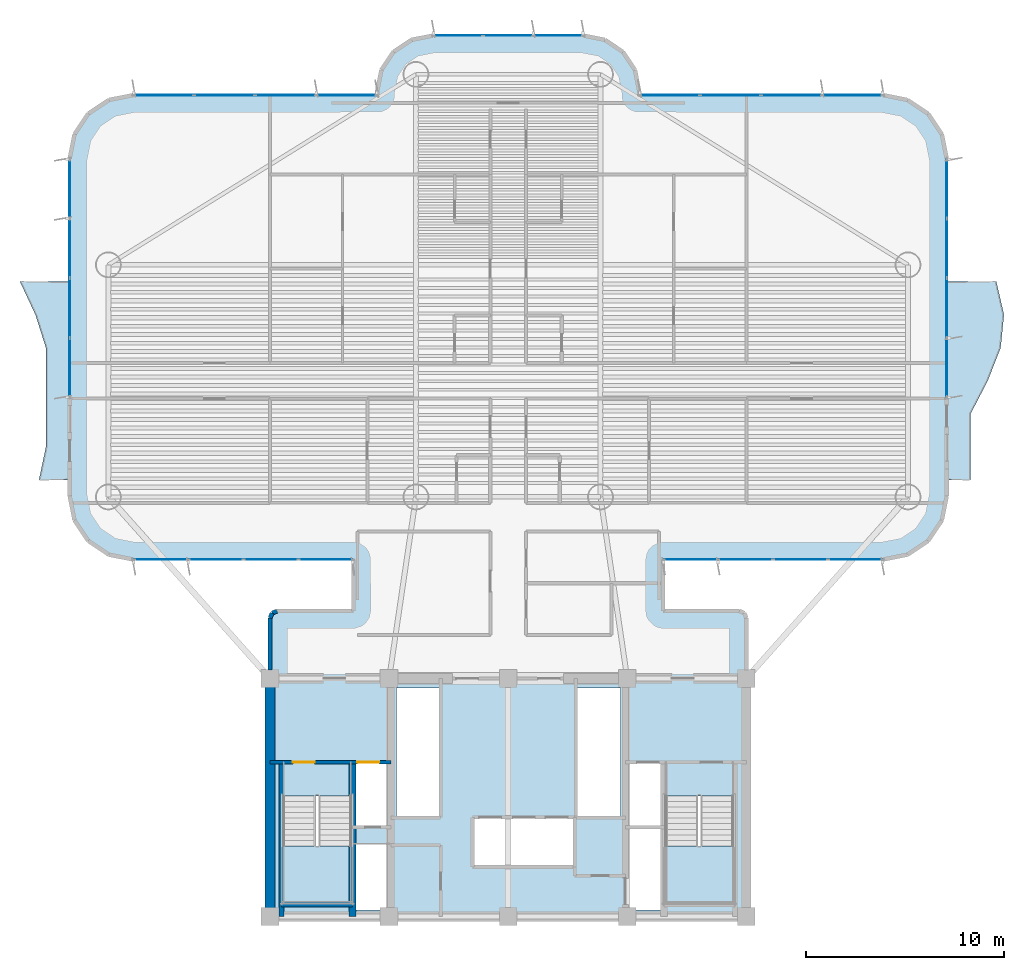
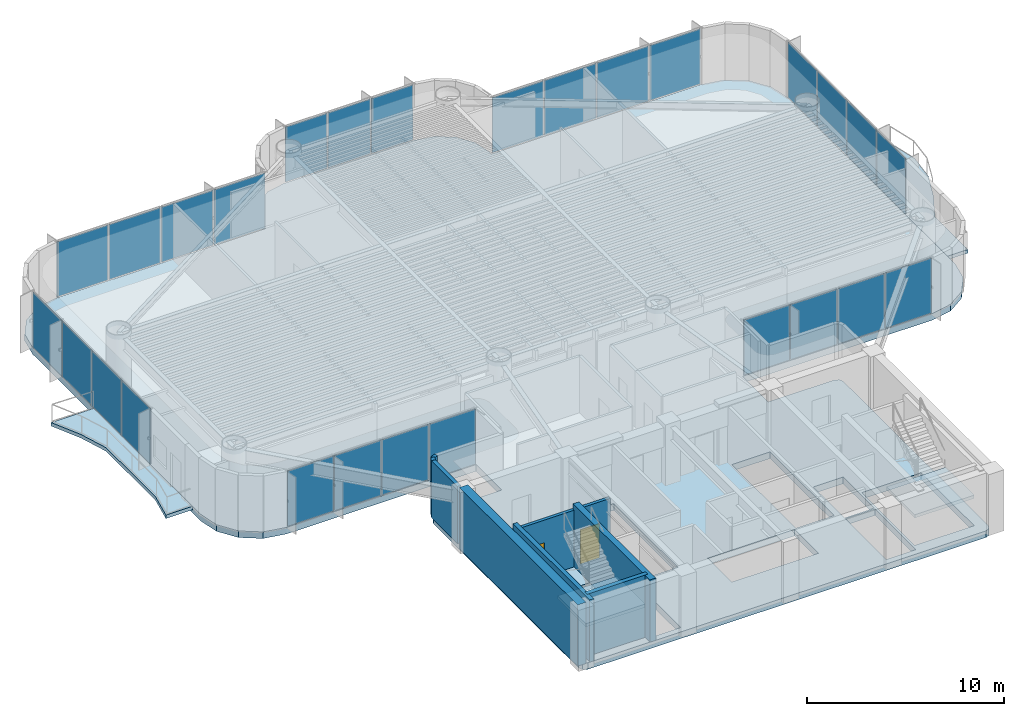
# One storey, part 8 of 17: 27 plates, 8 walls, 5 slabs, 2 doors, 2 openings, 9 elements without a shape of their own.
"""IFC4 building model written with IfcOpenShell, lengths in metres."""

import ifcopenshell
import ifcopenshell.guid

model = None  # the IFC model being written
_history = None  # IfcOwnerHistory: only IFC2X3 demands one
_inside = {}  # id of a spatial element -> (the spatial element, [elements in it])
_under = {}  # id of a project, library or spatial element -> (it, [spatial elements below it])
_declared = {}  # id of a project -> (the project, [libraries it declares])
_typed = {}  # id of a type object -> (the type object, [elements of that type])
_made_of = {}  # id of a material, layer set ... -> (it, [elements and type objects made of it])


def new_model(schema):
    """Start an empty IFC model of exactly this schema.

    Asked for "IFC4X3", IfcOpenShell would pick the latest addendum, in which some entities
    have other attributes; the version numbers below select the first issue.
    IFC2X3 requires an IfcOwnerHistory on every rooted entity: one is made here for all.
    """
    global model, _history
    if schema == "IFC4X3":
        model = ifcopenshell.file(schema_version=(4, 3, 0, 0))
    else:
        model = ifcopenshell.file(schema=schema)
    _inside.clear()
    _under.clear()
    _declared.clear()
    _typed.clear()
    _made_of.clear()
    _history = None
    if model.schema == "IFC2X3":
        org = make("IfcOrganization", Name="unknown")
        user = make(
            "IfcPersonAndOrganization",
            ThePerson=make("IfcPerson", FamilyName="unknown"),
            TheOrganization=org,
        )
        app = make(
            "IfcApplication",
            ApplicationDeveloper=org,
            Version="unknown",
            ApplicationFullName="unknown",
            ApplicationIdentifier="unknown",
        )
        _history = make(
            "IfcOwnerHistory",
            OwningUser=user,
            OwningApplication=app,
            ChangeAction="ADDED",
            CreationDate=0,
        )
    return model


def make(cls, **values):
    """One entity of the class cls with the attributes given. An attribute that is None is left unset."""
    return model.create_entity(
        cls, **{name: value for name, value in values.items() if value is not None}
    )


def rooted(cls, **values):
    """An entity with a GlobalId (a new one), such as an element, a storey or a relation."""
    return make(cls, GlobalId=ifcopenshell.guid.new(), OwnerHistory=_history, **values)


def si_unit(unit_type, name, prefix=None):
    """IfcSIUnit, for example si_unit("LENGTHUNIT", "METRE", prefix="MILLI")."""
    return make("IfcSIUnit", UnitType=unit_type, Prefix=prefix, Name=name)


def assignment(units):
    """IfcUnitAssignment: the units of a project."""
    return None if units is None else make("IfcUnitAssignment", Units=units)


def point(xyz):
    """IfcCartesianPoint."""
    return None if xyz is None else make("IfcCartesianPoint", Coordinates=xyz)


def direction(xyz):
    """IfcDirection."""
    return None if xyz is None else make("IfcDirection", DirectionRatios=xyz)


def frame(location, z_axis=None, x_axis=None):
    """IfcAxis2Placement3D, a coordinate frame: its origin and axes. An axis left out is left unset."""
    return make(
        "IfcAxis2Placement3D",
        Location=point(location),
        Axis=direction(z_axis),
        RefDirection=direction(x_axis),
    )


def frame_2d(location, x_axis=None):
    """IfcAxis2Placement2D, a coordinate frame in the plane: its origin and x axis."""
    return make(
        "IfcAxis2Placement2D", Location=point(location), RefDirection=direction(x_axis)
    )


def origin():
    """The frame at (0, 0, 0) with its axes left unset."""
    return frame((0.0, 0.0, 0.0))


def origin_2d():
    """The frame at (0, 0) in the plane with its x axis left unset."""
    return frame_2d((0.0, 0.0))


def place(relative_to, where):
    """IfcLocalPlacement: puts the frame where relative to a parent placement (None: the world)."""
    return make(
        "IfcLocalPlacement", PlacementRelTo=relative_to, RelativePlacement=where
    )


def context(
    kind, dimensions, precision=None, world=None, true_north=None, identifier=None
):
    """IfcGeometricRepresentationContext, for example the 3D "Model" context."""
    return make(
        "IfcGeometricRepresentationContext",
        ContextIdentifier=identifier,
        ContextType=kind,
        CoordinateSpaceDimension=dimensions,
        Precision=precision,
        WorldCoordinateSystem=world,
        TrueNorth=true_north,
    )


def subcontext(parent, identifier, kind, view, scale=None):
    """IfcGeometricRepresentationSubContext, for example "Body" below "Model"."""
    return make(
        "IfcGeometricRepresentationSubContext",
        ContextIdentifier=identifier,
        ContextType=kind,
        ParentContext=parent,
        TargetScale=scale,
        TargetView=view,
    )


def project(units=None, contexts=None):
    """IfcProject with its units and contexts."""
    return rooted(
        "IfcProject",
        Name="project",
        RepresentationContexts=contexts,
        UnitsInContext=assignment(units),
    )


def spatial(cls, under=None, at=None, **own):
    """A site, building, storey or space (cls), placed at a placement, below another one or the project."""
    s = rooted(cls, ObjectPlacement=at, **own)
    if under is not None:
        _under.setdefault(under.id(), (under, []))[1].append(s)
    return s


def polyline(points):
    """IfcPolyline through the points."""
    return make("IfcPolyline", Points=[point(p) for p in points])


def profile(cls, at=None, kind="AREA", **sizes):
    """A parametric profile (cls). Its sizes go by their IFC names, for example OverallWidth=200.0."""
    return make(cls, ProfileType=kind, Position=at, **sizes)


def rectangle(**sizes):
    """IfcRectangleProfileDef."""
    return profile("IfcRectangleProfileDef", **sizes)


def outline(outer, holes=None, kind="AREA"):
    """IfcArbitraryClosedProfileDef: a profile drawn as a closed curve; with holes, ...WithVoids."""
    if holes is None:
        return make("IfcArbitraryClosedProfileDef", ProfileType=kind, OuterCurve=outer)
    return make(
        "IfcArbitraryProfileDefWithVoids",
        ProfileType=kind,
        OuterCurve=outer,
        InnerCurves=holes,
    )


def extrude(swept, where, along, depth):
    """IfcExtrudedAreaSolid: the profile swept, set in the frame where, extruded along a direction by depth."""
    return make(
        "IfcExtrudedAreaSolid",
        SweptArea=swept,
        Position=where,
        ExtrudedDirection=direction(along),
        Depth=depth,
    )


def shape(context_of_items, identifier, shape_type, items):
    """IfcShapeRepresentation: the items that make up one representation, for example the "Body"."""
    return make(
        "IfcShapeRepresentation",
        ContextOfItems=context_of_items,
        RepresentationIdentifier=identifier,
        RepresentationType=shape_type,
        Items=items,
    )


def source(mapping_origin, context_of_items, identifier, shape_type, items):
    """IfcRepresentationMap: a shape defined once, which mapped items show again and again."""
    return make(
        "IfcRepresentationMap",
        MappingOrigin=mapping_origin,
        MappedRepresentation=shape(context_of_items, identifier, shape_type, items),
    )


def transform(
    local_origin,
    x_axis=None,
    y_axis=None,
    z_axis=None,
    scale=None,
    scale2=None,
    scale3=None,
    uniform=True,
):
    """IfcCartesianTransformationOperator3D, or its non-uniform kind. x_axis, y_axis, z_axis: its Axis1, 2, 3."""
    if uniform:
        return make(
            "IfcCartesianTransformationOperator3D",
            Axis1=direction(x_axis),
            Axis2=direction(y_axis),
            LocalOrigin=point(local_origin),
            Scale=scale,
            Axis3=direction(z_axis),
        )
    return make(
        "IfcCartesianTransformationOperator3DnonUniform",
        Axis1=direction(x_axis),
        Axis2=direction(y_axis),
        LocalOrigin=point(local_origin),
        Scale=scale,
        Axis3=direction(z_axis),
        Scale2=scale2,
        Scale3=scale3,
    )


def mapped(mapping_source, mapping_target):
    """IfcMappedItem: shows the shape of a source again, moved by a transform."""
    return make(
        "IfcMappedItem", MappingSource=mapping_source, MappingTarget=mapping_target
    )


def material(Name=None, Category=None):
    """IfcMaterial."""
    return make("IfcMaterial", Name=Name, Category=Category)


def layer(
    of_material, thickness, ventilated=None, Name=None, Category=None, Priority=None
):
    """IfcMaterialLayer: one layer of a wall or slab, of a material (None: an air gap)."""
    return make(
        "IfcMaterialLayer",
        Material=of_material,
        LayerThickness=thickness,
        IsVentilated=ventilated,
        Name=Name,
        Category=Category,
        Priority=Priority,
    )


def layer_set(layers, Name=None):
    """IfcMaterialLayerSet."""
    return make("IfcMaterialLayerSet", MaterialLayers=layers, LayerSetName=Name)


def made_of(thing, what):
    """Note that an element or type object is made of a material, layer set ...; save() writes the relation."""
    if what is not None:
        _made_of.setdefault(what.id(), (what, []))[1].append(thing)
    return thing


def type_object(cls, material=None, **own):
    """A type object (cls), such as IfcWallType, which elements share."""
    return made_of(rooted(cls, **own), material)


def element(
    cls,
    number,
    at=None,
    inside=None,
    cuts=None,
    type_object=None,
    material=None,
    context=None,
    identifier="Body",
    shape_type=None,
    held_by="IfcProductDefinitionShape",
    body=None,
    shapes=None,
    **own,
):
    """One element of the class cls, such as IfcWall. Its Tag is "e" and its number.

    at: its placement. inside: the storey or other place that contains it. cuts: it is an
    opening in that element (IfcRelVoidsElement). A single representation is given by context,
    identifier, shape_type and body (its items); several are given by shapes. held_by: the class
    of the entity that holds the representations. save() writes the other relations.
    """
    e = rooted(cls, Tag="e%d" % number, ObjectPlacement=at, **own)
    if body is not None:
        shapes = [shape(context, identifier, shape_type, body)]
    if shapes is not None:
        e.Representation = make(held_by, Representations=shapes)
    if inside is not None:
        _inside.setdefault(inside.id(), (inside, []))[1].append(e)
    if cuts is not None:
        rooted(
            "IfcRelVoidsElement", RelatingBuildingElement=cuts, RelatedOpeningElement=e
        )
    if type_object is not None:
        _typed.setdefault(type_object.id(), (type_object, []))[1].append(e)
    return made_of(e, material)


def fill(opening, filler):
    """IfcRelFillsElement: the door or window that sits in an opening."""
    return rooted(
        "IfcRelFillsElement",
        RelatingOpeningElement=opening,
        RelatedBuildingElement=filler,
    )


def aggregate(whole, parts):
    """IfcRelAggregates: a whole, such as a stair, and the parts it consists of."""
    return rooted("IfcRelAggregates", RelatingObject=whole, RelatedObjects=parts)


def save(model, path):
    """Write the relations noted so far, then the file.

    IfcRelAggregates (storeys below a building ...), IfcRelContainedInSpatialStructure (elements
    in a storey), IfcRelDefinesByType, IfcRelAssociatesMaterial and IfcRelDeclares: one each for
    every whole, place, type object, material and project.
    """
    for whole, parts in _under.values():
        aggregate(whole, parts)
    for where, things in _inside.values():
        rooted(
            "IfcRelContainedInSpatialStructure",
            RelatedElements=things,
            RelatingStructure=where,
        )
    for kind, things in _typed.values():
        rooted("IfcRelDefinesByType", RelatedObjects=things, RelatingType=kind)
    for what, things in _made_of.values():
        rooted("IfcRelAssociatesMaterial", RelatedObjects=things, RelatingMaterial=what)
    for by, libraries in _declared.values():
        rooted("IfcRelDeclares", RelatingContext=by, RelatedDefinitions=libraries)
    model.write(path)


model = new_model("IFC4")

# Units and contexts
model_context = context("Model", 3, precision=1e-05, world=origin(), true_north=direction((0.0, 1.0)))
body_context = subcontext(model_context, "Body", "Model", "MODEL_VIEW")
ifc_project = project(units=[si_unit("LENGTHUNIT", "METRE"), si_unit("AREAUNIT", "SQUARE_METRE"), si_unit("VOLUMEUNIT", "CUBIC_METRE"), si_unit("PLANEANGLEUNIT", "RADIAN"), si_unit("MASSUNIT", "GRAM", prefix="KILO")], contexts=[model_context])

# Site, building, storey
site_placement = place(None, origin())
site = spatial("IfcSite", under=ifc_project, at=site_placement, CompositionType="ELEMENT")
building_placement = place(site_placement, origin())
building = spatial("IfcBuilding", under=site, at=building_placement, Name="Brelvock Crest Care Tower", CompositionType="ELEMENT")
storey_placement = place(building_placement, frame((0.0, 0.0, 89.820068359375)))
storey = spatial("IfcBuildingStorey", under=building, at=storey_placement, Name="L22", CompositionType="ELEMENT", Elevation=89.820068359375)

# Slabs
ifc_material_1 = material(Name="Concrete N50 (50 MPa)", Category="concrete")
ifc_layer_1 = layer(ifc_material_1, 0.407958984375, Name="SLB-FL5")
ifc_layer_set_1 = layer_set([ifc_layer_1], Name="Concrete N50 (50 MPa)")
slab_type_1 = type_object("IfcSlabType", Name="SLB-FL5", PredefinedType="FLOOR", material=ifc_layer_set_1)
slab_1_placement = place(storey_placement, frame((0.0, 0.0, -0.407958984375)))
element("IfcSlab", 1, at=slab_1_placement, inside=storey, type_object=slab_type_1, Name="L22 Main Structural Slab", PredefinedType="FLOOR", context=body_context, shape_type="SweptSolid", body=[
    extrude(outline(polyline([(47.64990234375, 21.39990234375), (43.800048828125, 21.39990234375), (43.800048828125, 24.0), (54.89990234375, 24.0), (56.12451171875, 24.24365234375), (57.16259765625, 24.937255859375), (57.8564453125, 25.975341796875), (58.10009765625, 27.199951171875), (58.10009765625, 44.199951171875), (57.8564453125, 45.424560546875), (57.16259765625, 46.462646484375), (56.12451171875, 47.156494140625), (54.89990234375, 47.39990234375), (42.60009765625, 47.39990234375), (42.60009765625, 47.60009765625), (42.386962890625, 48.67138671875), (41.77978515625, 49.579833984375), (40.87158203125, 50.18701171875), (39.800048828125, 50.39990234375), (32.199951171875, 50.39990234375), (31.12841796875, 50.18701171875), (30.22021484375, 49.579833984375), (29.613037109375, 48.67138671875), (29.39990234375, 47.60009765625), (29.39990234375, 47.39990234375), (17.10009765625, 47.39990234375), (15.87548828125, 47.156494140625), (14.83740234375, 46.462646484375), (14.1435546875, 45.424560546875), (13.89990234375, 44.199951171875), (13.89990234375, 27.199951171875), (14.1435546875, 25.975341796875), (14.83740234375, 24.937255859375), (15.87548828125, 24.24365234375), (17.10009765625, 24.0), (28.199951171875, 24.0), (28.199951171875, 21.39990234375), (24.35009765625, 21.39990234375), (24.1025390625, 21.297607421875), (24.0, 21.050048828125), (24.0, 6.35009765625), (24.1025390625, 6.1025390625), (24.35009765625, 6.0), (47.64990234375, 6.0), (47.8974609375, 6.1025390625), (48.0, 6.35009765625), (48.0, 21.050048828125), (47.8974609375, 21.297607421875), (47.64990234375, 21.39990234375)]), holes=[polyline([(28.239990234375, 10.580078125), (29.97998046875, 10.580078125), (29.97998046875, 13.739990234375), (28.239990234375, 13.739990234375), (28.239990234375, 10.580078125)]), polyline([(42.02001953125, 10.580078125), (43.760009765625, 10.580078125), (43.760009765625, 13.739990234375), (42.02001953125, 13.739990234375), (42.02001953125, 10.580078125)]), polyline([(28.239990234375, 6.340087890625), (29.97998046875, 6.340087890625), (29.97998046875, 9.64990234375), (28.239990234375, 9.64990234375), (28.239990234375, 6.340087890625)]), polyline([(24.6298828125, 12.080078125), (24.6298828125, 6.699951171875), (28.110107421875, 6.699951171875), (28.110107421875, 12.080078125), (24.6298828125, 12.080078125)]), polyline([(43.889892578125, 12.080078125), (43.889892578125, 6.699951171875), (47.3701171875, 6.699951171875), (47.3701171875, 12.080078125), (43.889892578125, 12.080078125)]), polyline([(42.02001953125, 6.340087890625), (43.760009765625, 6.340087890625), (43.760009765625, 10.5), (42.02001953125, 10.5), (42.02001953125, 6.340087890625)]), polyline([(30.3798828125, 11.030029296875), (32.52001953125, 11.030029296875), (32.52001953125, 17.52001953125), (30.3798828125, 17.52001953125), (30.3798828125, 11.030029296875)]), polyline([(34.22998046875, 8.530029296875), (39.320068359375, 8.530029296875), (39.320068359375, 10.969970703125), (34.22998046875, 10.969970703125), (34.22998046875, 8.530029296875)]), polyline([(39.429931640625, 11.030029296875), (41.669921875, 11.030029296875), (41.669921875, 17.52001953125), (39.429931640625, 17.52001953125), (39.429931640625, 11.030029296875)])]), origin(), (0.0, 0.0, 1.0), 0.407958984375),
])
ifc_layer_2 = layer(ifc_material_1, 0.219970703125, Name="SLB-WB1")
ifc_layer_set_2 = layer_set([ifc_layer_2], Name="Concrete N50 (50 MPa)")
slab_type_2 = type_object("IfcSlabType", Name="SLB-WB1", PredefinedType="FLOOR", material=ifc_layer_set_2)
slab_2_placement = place(storey_placement, frame((0.0, 0.0, -0.219970703125)))
element("IfcSlab", 2, at=slab_2_placement, inside=storey, type_object=slab_type_2, Name="L22 W Sinusoidal Wave Balcony Slab", PredefinedType="FLOOR", context=body_context, shape_type="SweptSolid", body=[
    extrude(outline(polyline([(13.89990234375, 38.0), (11.3955078125, 38.0), (12.173828125, 36.333251953125), (12.699951171875, 34.666748046875), (12.699951171875, 33.0), (12.699951171875, 31.333251953125), (12.699951171875, 29.666748046875), (12.35009765625, 28.0), (13.89990234375, 28.0), (13.89990234375, 38.0)])), origin(), (0.0, 0.0, 1.0), 0.219970703125),
])
slab_3_placement = place(storey_placement, frame((0.0, 0.0, -0.219970703125)))
element("IfcSlab", 3, at=slab_3_placement, inside=storey, type_object=slab_type_2, Name="L22 E Sinusoidal Wave Balcony Slab", PredefinedType="FLOOR", context=body_context, shape_type="SweptSolid", body=[
    extrude(outline(polyline([(58.10009765625, 28.0), (59.300048828125, 28.0), (59.300048828125, 29.666748046875), (59.300537109375, 31.333251953125), (60.16650390625, 33.0), (60.819091796875, 34.666748046875), (60.988525390625, 36.333251953125), (60.6044921875, 38.0), (58.10009765625, 38.0), (58.10009765625, 28.0)])), origin(), (0.0, 0.0, 1.0), 0.219970703125),
])

# Stair, slab
ifc_material_2 = material(Name="Concrete N40 (40 MPa)", Category="concrete")
stair_type = type_object("IfcStairType", Name="ST-CORE1", PredefinedType="HALF_TURN_STAIR", material=ifc_material_2)
stair_1_placement = place(storey_placement, origin())
stair_1 = element("IfcStair", 4, at=stair_1_placement, inside=storey, type_object=stair_type, Name="L22 Fire-Isolated Core Stair ST-1", PredefinedType="HALF_TURN_STAIR")
ifc_layer_3 = layer(ifc_material_2, 0.199951171875, Name="STL-1")
ifc_layer_set_3 = layer_set([ifc_layer_3], Name="Concrete N40 (40 MPa)")
slab_type_3 = type_object("IfcSlabType", Name="STL-1", PredefinedType="LANDING", material=ifc_layer_set_3)
slab_4_placement = place(storey_placement, frame((0.0, 0.0, 1.68994140625)))
slab_4 = element("IfcSlab", 5, at=slab_4_placement, type_object=slab_type_3, Name="ST-1 landing 1", PredefinedType="LANDING", context=body_context, shape_type="SweptSolid", body=[
    extrude(outline(polyline([(24.6298828125, 9.56005859375), (24.6298828125, 6.699951171875), (28.110107421875, 6.699951171875), (28.110107421875, 9.56005859375), (24.6298828125, 9.56005859375)])), origin(), (0.0, 0.0, 1.0), 0.199951171875),
])
aggregate(stair_1, [slab_4])

stair_2_placement = place(storey_placement, origin())
stair_2 = element("IfcStair", 6, at=stair_2_placement, inside=storey, type_object=stair_type, Name="L22 Fire-Isolated Core Stair ST-2", PredefinedType="HALF_TURN_STAIR")
slab_5_placement = place(storey_placement, frame((0.0, 0.0, 1.68994140625)))
slab_5 = element("IfcSlab", 7, at=slab_5_placement, type_object=slab_type_3, Name="ST-2 landing 1", PredefinedType="LANDING", context=body_context, shape_type="SweptSolid", body=[
    extrude(outline(polyline([(43.889892578125, 9.56005859375), (43.889892578125, 6.699951171875), (47.3701171875, 6.699951171875), (47.3701171875, 9.56005859375), (43.889892578125, 9.56005859375)])), origin(), (0.0, 0.0, 1.0), 0.199951171875),
])
aggregate(stair_2, [slab_5])

# Curtain wall, plates
ifc_material_3 = material(Name="Dark Glass Double Glazed Low-E", Category="glass")
ifc_layer_4 = layer(ifc_material_3, 0.2099609375, Name="CWS-3")
ifc_layer_set_4 = layer_set([ifc_layer_4], Name="Dark Glass Double Glazed Low-E")
curtain_wall_type = type_object("IfcCurtainWallType", Name="CWS-3", PredefinedType="NOTDEFINED", material=ifc_layer_set_4)
curtain_wall_1_placement = place(storey_placement, origin())
curtain_wall_1 = element("IfcCurtainWall", 8, at=curtain_wall_1_placement, inside=storey, type_object=curtain_wall_type, Name="L22 Curtain Wall E12", PredefinedType="NOTDEFINED")
ifc_layer_5 = layer(ifc_material_3, 0.031982421875, Name="CWP-V1")
ifc_layer_set_5 = layer_set([ifc_layer_5], Name="Dark Glass Double Glazed Low-E")
plate_type = type_object("IfcPlateType", Name="CWP-V1", PredefinedType="CURTAIN_PANEL", material=ifc_layer_set_5)
shared_shape_1 = source(origin(), body_context, "Body", "SweptSolid", [
    extrude(rectangle(XDim=2.68505859375, YDim=0.035888671875, at=origin_2d()), origin(), (0.0, 0.0, 1.0), 3.409912109375),
])
plate_1_placement = place(storey_placement, frame((26.797607421875, 24.0, 0.06005859375), z_axis=(0.0, 0.0, 1.0), x_axis=(-1.0, 0.0, 0.0)))
plate_1 = element("IfcPlate", 9, at=plate_1_placement, type_object=plate_type, Name="CW-3 panel 1.1", PredefinedType="CURTAIN_PANEL", context=body_context, shape_type="MappedRepresentation", body=[
    mapped(shared_shape_1, transform((0.0, 0.0, 0.0), x_axis=(1.0, 0.0, 0.0), y_axis=(0.0, 1.0, 0.0), z_axis=(0.0, 0.0, 1.0), scale=1.0)),
])
plate_2_placement = place(storey_placement, frame((18.50244140625, 24.0, 0.06005859375), z_axis=(0.0, 0.0, 1.0), x_axis=(-1.0, 0.0, 0.0)))
plate_2 = element("IfcPlate", 10, at=plate_2_placement, type_object=plate_type, Name="CW-3 panel 4.1", PredefinedType="CURTAIN_PANEL", context=body_context, shape_type="MappedRepresentation", body=[
    mapped(shared_shape_1, transform((0.0, 0.0, 0.0), x_axis=(1.0, 0.0, 0.0), y_axis=(0.0, 1.0, 0.0), z_axis=(0.0, 0.0, 1.0), scale=1.0)),
])

curtain_wall_2_placement = place(storey_placement, origin())
curtain_wall_2 = element("IfcCurtainWall", 11, at=curtain_wall_2_placement, inside=storey, type_object=curtain_wall_type, Name="L22 Curtain Wall E44", PredefinedType="NOTDEFINED")
plate_3_placement = place(storey_placement, frame((53.49755859375, 24.0, 0.06005859375), z_axis=(0.0, 0.0, 1.0), x_axis=(-1.0, 0.0, 0.0)))
plate_3 = element("IfcPlate", 12, at=plate_3_placement, type_object=plate_type, Name="CW-3 panel 1.1", PredefinedType="CURTAIN_PANEL", context=body_context, shape_type="MappedRepresentation", body=[
    mapped(shared_shape_1, transform((0.0, 0.0, 0.0), x_axis=(1.0, 0.0, 0.0), y_axis=(0.0, 1.0, 0.0), z_axis=(0.0, 0.0, 1.0), scale=1.0)),
])
plate_4_placement = place(storey_placement, frame((45.202392578125, 24.0, 0.06005859375), z_axis=(0.0, 0.0, 1.0), x_axis=(-1.0, 0.0, 0.0)))
plate_4 = element("IfcPlate", 13, at=plate_4_placement, type_object=plate_type, Name="CW-3 panel 4.1", PredefinedType="CURTAIN_PANEL", context=body_context, shape_type="MappedRepresentation", body=[
    mapped(shared_shape_1, transform((0.0, 0.0, 0.0), x_axis=(1.0, 0.0, 0.0), y_axis=(0.0, 1.0, 0.0), z_axis=(0.0, 0.0, 1.0), scale=1.0)),
])

# Plate
shared_shape_2 = source(origin(), body_context, "Body", "SweptSolid", [
    extrude(rectangle(XDim=2.715087890625, YDim=0.035888671875, at=origin_2d()), origin(), (0.0, 0.0, 1.0), 3.409912109375),
])
plate_5_placement = place(storey_placement, frame((24.03759765625, 24.0, 0.06005859375), z_axis=(0.0, 0.0, 1.0), x_axis=(-1.0, 0.0, 0.0)))
plate_5 = element("IfcPlate", 14, at=plate_5_placement, type_object=plate_type, Name="CW-3 panel 2.1", PredefinedType="CURTAIN_PANEL", context=body_context, shape_type="MappedRepresentation", body=[
    mapped(shared_shape_2, transform((0.0, 0.0, 0.0), x_axis=(1.0, 0.0, 0.0), y_axis=(0.0, 1.0, 0.0), z_axis=(0.0, 0.0, 1.0), scale=1.0)),
])

plate_6_placement = place(storey_placement, frame((21.262451171875, 24.0, 0.06005859375), z_axis=(0.0, 0.0, 1.0), x_axis=(-1.0, 0.0, 0.0)))
plate_6 = element("IfcPlate", 15, at=plate_6_placement, type_object=plate_type, Name="CW-3 panel 3.1", PredefinedType="CURTAIN_PANEL", context=body_context, shape_type="MappedRepresentation", body=[
    mapped(shared_shape_2, transform((0.0, 0.0, 0.0), x_axis=(1.0, 0.0, 0.0), y_axis=(0.0, 1.0, 0.0), z_axis=(0.0, 0.0, 1.0), scale=1.0)),
])

aggregate(curtain_wall_1, [plate_1, plate_5, plate_6, plate_2])

plate_7_placement = place(storey_placement, frame((50.737548828125, 24.0, 0.06005859375), z_axis=(0.0, 0.0, 1.0), x_axis=(-1.0, 0.0, 0.0)))
plate_7 = element("IfcPlate", 16, at=plate_7_placement, type_object=plate_type, Name="CW-3 panel 2.1", PredefinedType="CURTAIN_PANEL", context=body_context, shape_type="MappedRepresentation", body=[
    mapped(shared_shape_2, transform((0.0, 0.0, 0.0), x_axis=(1.0, 0.0, 0.0), y_axis=(0.0, 1.0, 0.0), z_axis=(0.0, 0.0, 1.0), scale=1.0)),
])

plate_8_placement = place(storey_placement, frame((47.96240234375, 24.0, 0.06005859375), z_axis=(0.0, 0.0, 1.0), x_axis=(-1.0, 0.0, 0.0)))
plate_8 = element("IfcPlate", 17, at=plate_8_placement, type_object=plate_type, Name="CW-3 panel 3.1", PredefinedType="CURTAIN_PANEL", context=body_context, shape_type="MappedRepresentation", body=[
    mapped(shared_shape_2, transform((0.0, 0.0, 0.0), x_axis=(1.0, 0.0, 0.0), y_axis=(0.0, 1.0, 0.0), z_axis=(0.0, 0.0, 1.0), scale=1.0)),
])

aggregate(curtain_wall_2, [plate_3, plate_7, plate_8, plate_4])

# Curtain wall, plates
curtain_wall_3_placement = place(storey_placement, origin())
curtain_wall_3 = element("IfcCurtainWall", 18, at=curtain_wall_3_placement, inside=storey, type_object=curtain_wall_type, Name="L22 Curtain Wall E17B", PredefinedType="NOTDEFINED")
shared_shape_3 = source(origin(), body_context, "Body", "SweptSolid", [
    extrude(rectangle(XDim=2.922607421875, YDim=0.035888671875, at=origin_2d()), origin(), (0.0, 0.0, 1.0), 3.409912109375),
])
plate_9_placement = place(storey_placement, frame((13.89990234375, 33.671142578125, 0.06005859375), z_axis=(0.0, 0.0, 1.0), x_axis=(0.0, 1.0, 0.0)))
plate_9 = element("IfcPlate", 19, at=plate_9_placement, type_object=plate_type, Name="CW-3 panel 1.1", PredefinedType="CURTAIN_PANEL", context=body_context, shape_type="MappedRepresentation", body=[
    mapped(shared_shape_3, transform((0.0, 0.0, 0.0), x_axis=(1.0, 0.0, 0.0), y_axis=(0.0, 1.0, 0.0), z_axis=(0.0, 0.0, 1.0), scale=1.0)),
])
plate_10_placement = place(storey_placement, frame((13.89990234375, 42.6787109375, 0.06005859375), z_axis=(0.0, 0.0, 1.0), x_axis=(0.0, 1.0, 0.0)))
plate_10 = element("IfcPlate", 20, at=plate_10_placement, type_object=plate_type, Name="CW-3 panel 4.1", PredefinedType="CURTAIN_PANEL", context=body_context, shape_type="MappedRepresentation", body=[
    mapped(shared_shape_3, transform((0.0, 0.0, 0.0), x_axis=(1.0, 0.0, 0.0), y_axis=(0.0, 1.0, 0.0), z_axis=(0.0, 0.0, 1.0), scale=1.0)),
])

curtain_wall_4_placement = place(storey_placement, origin())
curtain_wall_4 = element("IfcCurtainWall", 21, at=curtain_wall_4_placement, inside=storey, type_object=curtain_wall_type, Name="L22 Curtain Wall E39A", PredefinedType="NOTDEFINED")
plate_11_placement = place(storey_placement, frame((58.10009765625, 42.6787109375, 0.06005859375), z_axis=(0.0, 0.0, 1.0), x_axis=(0.0, -1.0, 0.0)))
plate_11 = element("IfcPlate", 22, at=plate_11_placement, type_object=plate_type, Name="CW-3 panel 1.1", PredefinedType="CURTAIN_PANEL", context=body_context, shape_type="MappedRepresentation", body=[
    mapped(shared_shape_3, transform((0.0, 0.0, 0.0), x_axis=(1.0, 0.0, 0.0), y_axis=(0.0, 1.0, 0.0), z_axis=(0.0, 0.0, 1.0), scale=1.0)),
])
plate_12_placement = place(storey_placement, frame((58.10009765625, 33.671142578125, 0.06005859375), z_axis=(0.0, 0.0, 1.0), x_axis=(0.0, -1.0, 0.0)))
plate_12 = element("IfcPlate", 23, at=plate_12_placement, type_object=plate_type, Name="CW-3 panel 4.1", PredefinedType="CURTAIN_PANEL", context=body_context, shape_type="MappedRepresentation", body=[
    mapped(shared_shape_3, transform((0.0, 0.0, 0.0), x_axis=(1.0, 0.0, 0.0), y_axis=(0.0, 1.0, 0.0), z_axis=(0.0, 0.0, 1.0), scale=1.0)),
])

# Plate
shared_shape_4 = source(origin(), body_context, "Body", "SweptSolid", [
    extrude(rectangle(XDim=2.952392578125, YDim=0.035888671875, at=origin_2d()), origin(), (0.0, 0.0, 1.0), 3.409912109375),
])
plate_13_placement = place(storey_placement, frame((13.89990234375, 36.668701171875, 0.06005859375), z_axis=(0.0, 0.0, 1.0), x_axis=(0.0, 1.0, 0.0)))
plate_13 = element("IfcPlate", 24, at=plate_13_placement, type_object=plate_type, Name="CW-3 panel 2.1", PredefinedType="CURTAIN_PANEL", context=body_context, shape_type="MappedRepresentation", body=[
    mapped(shared_shape_4, transform((0.0, 0.0, 0.0), x_axis=(1.0, 0.0, 0.0), y_axis=(0.0, 1.0, 0.0), z_axis=(0.0, 0.0, 1.0), scale=1.0)),
])

plate_14_placement = place(storey_placement, frame((13.89990234375, 39.68115234375, 0.06005859375), z_axis=(0.0, 0.0, 1.0), x_axis=(0.0, 1.0, 0.0)))
plate_14 = element("IfcPlate", 25, at=plate_14_placement, type_object=plate_type, Name="CW-3 panel 3.1", PredefinedType="CURTAIN_PANEL", context=body_context, shape_type="MappedRepresentation", body=[
    mapped(shared_shape_4, transform((0.0, 0.0, 0.0), x_axis=(1.0, 0.0, 0.0), y_axis=(0.0, 1.0, 0.0), z_axis=(0.0, 0.0, 1.0), scale=1.0)),
])

aggregate(curtain_wall_3, [plate_9, plate_13, plate_14, plate_10])

plate_15_placement = place(storey_placement, frame((58.10009765625, 39.68115234375, 0.06005859375), z_axis=(0.0, 0.0, 1.0), x_axis=(0.0, -1.0, 0.0)))
plate_15 = element("IfcPlate", 26, at=plate_15_placement, type_object=plate_type, Name="CW-3 panel 2.1", PredefinedType="CURTAIN_PANEL", context=body_context, shape_type="MappedRepresentation", body=[
    mapped(shared_shape_4, transform((0.0, 0.0, 0.0), x_axis=(1.0, 0.0, 0.0), y_axis=(0.0, 1.0, 0.0), z_axis=(0.0, 0.0, 1.0), scale=1.0)),
])

plate_16_placement = place(storey_placement, frame((58.10009765625, 36.668701171875, 0.06005859375), z_axis=(0.0, 0.0, 1.0), x_axis=(0.0, -1.0, 0.0)))
plate_16 = element("IfcPlate", 27, at=plate_16_placement, type_object=plate_type, Name="CW-3 panel 3.1", PredefinedType="CURTAIN_PANEL", context=body_context, shape_type="MappedRepresentation", body=[
    mapped(shared_shape_4, transform((0.0, 0.0, 0.0), x_axis=(1.0, 0.0, 0.0), y_axis=(0.0, 1.0, 0.0), z_axis=(0.0, 0.0, 1.0), scale=1.0)),
])

aggregate(curtain_wall_4, [plate_11, plate_15, plate_16, plate_12])

# Curtain wall, plates
curtain_wall_5_placement = place(storey_placement, origin())
curtain_wall_5 = element("IfcCurtainWall", 28, at=curtain_wall_5_placement, inside=storey, type_object=curtain_wall_type, Name="L22 Curtain Wall E22", PredefinedType="NOTDEFINED")
shared_shape_5 = source(origin(), body_context, "Body", "SweptSolid", [
    extrude(rectangle(XDim=2.985107421875, YDim=0.035888671875, at=origin_2d()), origin(), (0.0, 0.0, 1.0), 3.409912109375),
])
plate_17_placement = place(storey_placement, frame((18.652587890625, 47.39990234375, 0.06005859375), z_axis=(0.0, 0.0, 1.0), x_axis=(1.0, 0.0, 0.0)))
plate_17 = element("IfcPlate", 29, at=plate_17_placement, type_object=plate_type, Name="CW-3 panel 1.1", PredefinedType="CURTAIN_PANEL", context=body_context, shape_type="MappedRepresentation", body=[
    mapped(shared_shape_5, transform((0.0, 0.0, 0.0), x_axis=(1.0, 0.0, 0.0), y_axis=(0.0, 1.0, 0.0), z_axis=(0.0, 0.0, 1.0), scale=1.0)),
])
plate_18_placement = place(storey_placement, frame((27.847412109375, 47.39990234375, 0.06005859375), z_axis=(0.0, 0.0, 1.0), x_axis=(1.0, 0.0, 0.0)))
plate_18 = element("IfcPlate", 30, at=plate_18_placement, type_object=plate_type, Name="CW-3 panel 4.1", PredefinedType="CURTAIN_PANEL", context=body_context, shape_type="MappedRepresentation", body=[
    mapped(shared_shape_5, transform((0.0, 0.0, 0.0), x_axis=(1.0, 0.0, 0.0), y_axis=(0.0, 1.0, 0.0), z_axis=(0.0, 0.0, 1.0), scale=1.0)),
])

curtain_wall_6_placement = place(storey_placement, origin())
curtain_wall_6 = element("IfcCurtainWall", 31, at=curtain_wall_6_placement, inside=storey, type_object=curtain_wall_type, Name="L22 Curtain Wall E34", PredefinedType="NOTDEFINED")
plate_19_placement = place(storey_placement, frame((44.152587890625, 47.39990234375, 0.06005859375), z_axis=(0.0, 0.0, 1.0), x_axis=(1.0, 0.0, 0.0)))
plate_19 = element("IfcPlate", 32, at=plate_19_placement, type_object=plate_type, Name="CW-3 panel 1.1", PredefinedType="CURTAIN_PANEL", context=body_context, shape_type="MappedRepresentation", body=[
    mapped(shared_shape_5, transform((0.0, 0.0, 0.0), x_axis=(1.0, 0.0, 0.0), y_axis=(0.0, 1.0, 0.0), z_axis=(0.0, 0.0, 1.0), scale=1.0)),
])
plate_20_placement = place(storey_placement, frame((53.347412109375, 47.39990234375, 0.06005859375), z_axis=(0.0, 0.0, 1.0), x_axis=(1.0, 0.0, 0.0)))
plate_20 = element("IfcPlate", 33, at=plate_20_placement, type_object=plate_type, Name="CW-3 panel 4.1", PredefinedType="CURTAIN_PANEL", context=body_context, shape_type="MappedRepresentation", body=[
    mapped(shared_shape_5, transform((0.0, 0.0, 0.0), x_axis=(1.0, 0.0, 0.0), y_axis=(0.0, 1.0, 0.0), z_axis=(0.0, 0.0, 1.0), scale=1.0)),
])

# Plate
shared_shape_6 = source(origin(), body_context, "Body", "SweptSolid", [
    extrude(rectangle(XDim=3.014892578125, YDim=0.035888671875, at=origin_2d()), origin(), (0.0, 0.0, 1.0), 3.409912109375),
])
plate_21_placement = place(storey_placement, frame((21.71240234375, 47.39990234375, 0.06005859375), z_axis=(0.0, 0.0, 1.0), x_axis=(1.0, 0.0, 0.0)))
plate_21 = element("IfcPlate", 34, at=plate_21_placement, type_object=plate_type, Name="CW-3 panel 2.1", PredefinedType="CURTAIN_PANEL", context=body_context, shape_type="MappedRepresentation", body=[
    mapped(shared_shape_6, transform((0.0, 0.0, 0.0), x_axis=(1.0, 0.0, 0.0), y_axis=(0.0, 1.0, 0.0), z_axis=(0.0, 0.0, 1.0), scale=1.0)),
])

plate_22_placement = place(storey_placement, frame((24.78759765625, 47.39990234375, 0.06005859375), z_axis=(0.0, 0.0, 1.0), x_axis=(1.0, 0.0, 0.0)))
plate_22 = element("IfcPlate", 35, at=plate_22_placement, type_object=plate_type, Name="CW-3 panel 3.1", PredefinedType="CURTAIN_PANEL", context=body_context, shape_type="MappedRepresentation", body=[
    mapped(shared_shape_6, transform((0.0, 0.0, 0.0), x_axis=(1.0, 0.0, 0.0), y_axis=(0.0, 1.0, 0.0), z_axis=(0.0, 0.0, 1.0), scale=1.0)),
])

aggregate(curtain_wall_5, [plate_17, plate_21, plate_22, plate_18])

plate_23_placement = place(storey_placement, frame((47.21240234375, 47.39990234375, 0.06005859375), z_axis=(0.0, 0.0, 1.0), x_axis=(1.0, 0.0, 0.0)))
plate_23 = element("IfcPlate", 36, at=plate_23_placement, type_object=plate_type, Name="CW-3 panel 2.1", PredefinedType="CURTAIN_PANEL", context=body_context, shape_type="MappedRepresentation", body=[
    mapped(shared_shape_6, transform((0.0, 0.0, 0.0), x_axis=(1.0, 0.0, 0.0), y_axis=(0.0, 1.0, 0.0), z_axis=(0.0, 0.0, 1.0), scale=1.0)),
])

plate_24_placement = place(storey_placement, frame((50.28759765625, 47.39990234375, 0.06005859375), z_axis=(0.0, 0.0, 1.0), x_axis=(1.0, 0.0, 0.0)))
plate_24 = element("IfcPlate", 37, at=plate_24_placement, type_object=plate_type, Name="CW-3 panel 3.1", PredefinedType="CURTAIN_PANEL", context=body_context, shape_type="MappedRepresentation", body=[
    mapped(shared_shape_6, transform((0.0, 0.0, 0.0), x_axis=(1.0, 0.0, 0.0), y_axis=(0.0, 1.0, 0.0), z_axis=(0.0, 0.0, 1.0), scale=1.0)),
])

aggregate(curtain_wall_6, [plate_19, plate_23, plate_24, plate_20])

# Curtain wall, plates
curtain_wall_7_placement = place(storey_placement, origin())
curtain_wall_7 = element("IfcCurtainWall", 38, at=curtain_wall_7_placement, inside=storey, type_object=curtain_wall_type, Name="L22 Curtain Wall E28", PredefinedType="NOTDEFINED")
shared_shape_7 = source(origin(), body_context, "Body", "SweptSolid", [
    extrude(rectangle(XDim=2.443359375, YDim=0.035888671875, at=origin_2d()), origin(), (0.0, 0.0, 1.0), 3.409912109375),
])
plate_25_placement = place(storey_placement, frame((33.481689453125, 50.39990234375, 0.06005859375), z_axis=(0.0, 0.0, 1.0), x_axis=(1.0, 0.0, 0.0)))
plate_25 = element("IfcPlate", 39, at=plate_25_placement, type_object=plate_type, Name="CW-3 panel 1.1", PredefinedType="CURTAIN_PANEL", context=body_context, shape_type="MappedRepresentation", body=[
    mapped(shared_shape_7, transform((0.0, 0.0, 0.0), x_axis=(1.0, 0.0, 0.0), y_axis=(0.0, 1.0, 0.0), z_axis=(0.0, 0.0, 1.0), scale=1.0)),
])
plate_26_placement = place(storey_placement, frame((38.518310546875, 50.39990234375, 0.06005859375), z_axis=(0.0, 0.0, 1.0), x_axis=(1.0, 0.0, 0.0)))
plate_26 = element("IfcPlate", 40, at=plate_26_placement, type_object=plate_type, Name="CW-3 panel 3.1", PredefinedType="CURTAIN_PANEL", context=body_context, shape_type="MappedRepresentation", body=[
    mapped(shared_shape_7, transform((0.0, 0.0, 0.0), x_axis=(1.0, 0.0, 0.0), y_axis=(0.0, 1.0, 0.0), z_axis=(0.0, 0.0, 1.0), scale=1.0)),
])
shared_shape_8 = source(origin(), body_context, "Body", "SweptSolid", [
    extrude(rectangle(XDim=2.473388671875, YDim=0.035888671875, at=origin_2d()), origin(), (0.0, 0.0, 1.0), 3.409912109375),
])
plate_27_placement = place(storey_placement, frame((36.0, 50.39990234375, 0.06005859375), z_axis=(0.0, 0.0, 1.0), x_axis=(1.0, 0.0, 0.0)))
plate_27 = element("IfcPlate", 41, at=plate_27_placement, type_object=plate_type, Name="CW-3 panel 2.1", PredefinedType="CURTAIN_PANEL", context=body_context, shape_type="MappedRepresentation", body=[
    mapped(shared_shape_8, transform((0.0, 0.0, 0.0), x_axis=(1.0, 0.0, 0.0), y_axis=(0.0, 1.0, 0.0), z_axis=(0.0, 0.0, 1.0), scale=1.0)),
])
aggregate(curtain_wall_7, [plate_25, plate_27, plate_26])

# Walls
ifc_material_4 = material(Name="Concrete S80 (80 MPa)", Category="concrete")
ifc_layer_6 = layer(ifc_material_4, 0.5, Name="WL-CS2")
ifc_layer_set_6 = layer_set([ifc_layer_6], Name="Concrete S80 (80 MPa)")
wall_type_1 = type_object("IfcWallType", Name="WL-CS2", PredefinedType="SHEAR", material=ifc_layer_set_6)
wall_1_placement = place(storey_placement, frame((24.0, 6.0, 0.0), z_axis=(0.0, 0.0, 1.0), x_axis=(0.0, 1.0, 0.0)))
element("IfcWall", 42, at=wall_1_placement, inside=storey, type_object=wall_type_1, Name="L22 Core West Shear Wall", PredefinedType="SHEAR", context=body_context, shape_type="SweptSolid", body=[
    extrude(rectangle(XDim=12.0, YDim=0.5, at=frame_2d((6.0, 0.0))), origin(), (0.0, 0.0, 1.0), 3.780029296875),
])
ifc_layer_7 = layer(ifc_material_4, 0.35009765625, Name="WL-CS5")
ifc_layer_set_7 = layer_set([ifc_layer_7], Name="Concrete S80 (80 MPa)")
wall_type_2 = type_object("IfcWallType", Name="WL-CS5", PredefinedType="SHEAR", material=ifc_layer_set_7)
wall_2_placement = place(storey_placement, frame((28.14990234375, 6.0, 0.0), z_axis=(0.0, 0.0, 1.0), x_axis=(0.0, 1.0, 0.0)))
element("IfcWall", 43, at=wall_2_placement, inside=storey, type_object=wall_type_2, Name="L22 Core Stair ST-1 East Shear Wall", PredefinedType="SHEAR", context=body_context, shape_type="SweptSolid", body=[
    extrude(rectangle(XDim=7.780029296875, YDim=0.35009765625, at=frame_2d((3.89013671875, 0.0))), origin(), (0.0, 0.0, 1.0), 3.849853515625),
])
ifc_layer_8 = layer(ifc_material_4, 0.25, Name="WL-CS6")
ifc_layer_set_8 = layer_set([ifc_layer_8], Name="Concrete S80 (80 MPa)")
wall_type_3 = type_object("IfcWallType", Name="WL-CS6", PredefinedType="SHEAR", material=ifc_layer_set_8)
wall_3_placement = place(storey_placement, frame((24.580078125, 6.0, 0.0), z_axis=(0.0, 0.0, 1.0), x_axis=(0.0, 1.0, 0.0)))
element("IfcWall", 44, at=wall_3_placement, inside=storey, type_object=wall_type_3, Name="L22 Core Stair ST-1 West Shear Wall", PredefinedType="SHEAR", context=body_context, shape_type="SweptSolid", body=[
    extrude(rectangle(XDim=7.780029296875, YDim=0.25, at=frame_2d((3.89013671875, 0.0))), origin(), (0.0, 0.0, 1.0), 3.849853515625),
])
wall_4_placement = place(storey_placement, frame((24.580078125, 6.6201171875, 0.0), z_axis=(0.0, 0.0, 1.0), x_axis=(1.0, 0.0, 0.0)))
element("IfcWall", 45, at=wall_4_placement, inside=storey, type_object=wall_type_3, Name="L22 Core Stair ST-1 South Shear Wall", PredefinedType="SHEAR", context=body_context, shape_type="SweptSolid", body=[
    extrude(rectangle(XDim=3.56982421875, YDim=0.25, at=frame_2d((1.784912109375, 0.0))), origin(), (0.0, 0.0, 1.0), 3.849853515625),
])
ifc_material_5 = material(Name="Precast concrete N40 (40 MPa)", Category="concrete")
ifc_layer_9 = layer(ifc_material_5, 0.215087890625, Name="WL-EX2")
ifc_layer_set_9 = layer_set([ifc_layer_9], Name="Precast concrete N40 (40 MPa)")
wall_type_4 = type_object("IfcWallType", Name="WL-EX2", PredefinedType="SOLIDWALL", material=ifc_layer_set_9)
wall_5_placement = place(storey_placement, frame((24.0, 18.429931640625, 0.0), z_axis=(0.0, 0.0, 1.0), x_axis=(0.0, 1.0, 0.0)))
element("IfcWall", 46, at=wall_5_placement, inside=storey, type_object=wall_type_4, Name="L22 Rounded Corner Wall 07", PredefinedType="SOLIDWALL", context=body_context, shape_type="SweptSolid", body=[
    extrude(rectangle(XDim=2.6201171875, YDim=0.215087890625, at=frame_2d((1.31005859375, 0.0))), origin(), (0.0, 0.0, 1.0), 3.530029296875),
])
wall_6_placement = place(storey_placement, frame((24.0, 21.050048828125, 0.0), z_axis=(0.0, 0.0, 1.0), x_axis=(0.382673670509, 0.923883575944, 0.0)))
element("IfcWall", 47, at=wall_6_placement, inside=storey, type_object=wall_type_4, Name="L22 Rounded Corner Wall 08", PredefinedType="SOLIDWALL", context=body_context, shape_type="SweptSolid", body=[
    extrude(rectangle(XDim=0.26806640625, YDim=0.215087890625, at=frame_2d((0.134033203125, 0.0))), origin(), (0.0, 0.0, 1.0), 3.530029296875),
])
wall_7_placement = place(storey_placement, frame((24.1025390625, 21.297607421875, 0.0), z_axis=(0.0, 0.0, 1.0), x_axis=(0.924205486139, 0.381895560841, 0.0)))
element("IfcWall", 48, at=wall_7_placement, inside=storey, type_object=wall_type_4, Name="L22 Rounded Corner Wall 09", PredefinedType="SOLIDWALL", context=body_context, shape_type="SweptSolid", body=[
    extrude(rectangle(XDim=0.267822265625, YDim=0.215087890625, at=frame_2d((0.1337890625, 0.0))), origin(), (0.0, 0.0, 1.0), 3.530029296875),
])

# Wall, openings, doors
ifc_material_6 = material(Name="Masonry Blockwork Acoustic Partition", Category="masonry")
ifc_layer_10 = layer(ifc_material_6, 0.179931640625, Name="WL-SHF1")
ifc_layer_set_10 = layer_set([ifc_layer_10], Name="Masonry Blockwork Acoustic Partition")
wall_type_5 = type_object("IfcWallType", Name="WL-SHF1", PredefinedType="PARTITIONING", material=ifc_layer_set_10)
wall_8_placement = place(storey_placement, frame((24.0, 13.780029296875, 0.0), z_axis=(0.0, 0.0, 1.0), x_axis=(1.0, 0.0, 0.0)))
wall_8 = element("IfcWall", 49, at=wall_8_placement, inside=storey, type_object=wall_type_5, Name="L22 Interior Wall WL-ST1-N-L22", PredefinedType="PARTITIONING", context=body_context, shape_type="SweptSolid", body=[
    extrude(rectangle(XDim=6.10009765625, YDim=0.179931640625, at=frame_2d((3.050048828125, 0.0))), origin(), (0.0, 0.0, 1.0), 3.5),
])
opening_1_placement = place(wall_8_placement, frame((1.14990234375, 0.0, 0.0)))
opening_1 = element("IfcOpeningElement", 50, at=opening_1_placement, cuts=wall_8, Name="Opening SD-1", PredefinedType="OPENING", context=body_context, shape_type="SweptSolid", body=[
    extrude(rectangle(XDim=1.10009765625, YDim=2.10009765625, at=origin_2d()), frame((0.550048828125, 0.10009765625, 1.050048828125), z_axis=(0.0, -1.0, 0.0), x_axis=(1.0, 0.0, 0.0)), (0.0, 0.0, 1.0), 0.199951171875),
])
opening_2_placement = place(wall_8_placement, frame((4.39990234375, 0.0, 0.0)))
opening_2 = element("IfcOpeningElement", 51, at=opening_2_placement, cuts=wall_8, Name="Opening LD", PredefinedType="OPENING", context=body_context, shape_type="SweptSolid", body=[
    extrude(rectangle(XDim=1.10009765625, YDim=2.10009765625, at=origin_2d()), frame((0.550048828125, 0.10009765625, 1.050048828125), z_axis=(0.0, -1.0, 0.0), x_axis=(1.0, 0.0, 0.0)), (0.0, 0.0, 1.0), 0.199951171875),
])
ifc_material_7 = material(Name="Steel Grade 350", Category="steel")
door_type_1 = type_object("IfcDoorType", Name="DR-ST1", OperationType="NOTDEFINED", PredefinedType="DOOR", material=ifc_material_7)
shared_shape_9 = source(origin(), body_context, "Body", "SweptSolid", [
    extrude(rectangle(XDim=1.10009765625, YDim=2.10009765625, at=origin_2d()), frame((0.550048828125, 0.02490234375, 1.050048828125), z_axis=(0.0, -1.0, 0.0), x_axis=(1.0, 0.0, 0.0)), (0.0, 0.0, 1.0), 0.050048828125),
])
door_1_placement = place(opening_1_placement, origin())
door_1 = element("IfcDoor", 52, at=door_1_placement, inside=storey, type_object=door_type_1, Name="L22 Fire Stair ST-1 Door", OperationType="SINGLE_SWING_LEFT", OverallHeight=2.10009765625, OverallWidth=1.10009765625, PredefinedType="DOOR", context=body_context, shape_type="MappedRepresentation", body=[
    mapped(shared_shape_9, transform((0.0, 0.0, 0.0), x_axis=(1.0, 0.0, 0.0), y_axis=(0.0, 1.0, 0.0), z_axis=(0.0, 0.0, 1.0), scale=1.0)),
])
fill(opening_1, door_1)
door_type_2 = type_object("IfcDoorType", Name="DR-LD1", OperationType="NOTDEFINED", PredefinedType="DOOR", material=ifc_material_7)
shared_shape_10 = source(origin(), body_context, "Body", "SweptSolid", [
    extrude(rectangle(XDim=1.10009765625, YDim=2.10009765625, at=origin_2d()), frame((0.550048828125, 0.02490234375, 1.050048828125), z_axis=(0.0, -1.0, 0.0), x_axis=(1.0, 0.0, 0.0)), (0.0, 0.0, 1.0), 0.050048828125),
])
door_2_placement = place(opening_2_placement, origin())
door_2 = element("IfcDoor", 53, at=door_2_placement, inside=storey, type_object=door_type_2, Name="L22 Firefighting Lift FFL-1 Landing Door", OperationType="SLIDING_TO_LEFT", OverallHeight=2.10009765625, OverallWidth=1.10009765625, PredefinedType="DOOR", context=body_context, shape_type="MappedRepresentation", body=[
    mapped(shared_shape_10, transform((0.0, 0.0, 0.0), x_axis=(1.0, 0.0, 0.0), y_axis=(0.0, 1.0, 0.0), z_axis=(0.0, 0.0, 1.0), scale=1.0)),
])
fill(opening_2, door_2)

save(model, "model.ifc")
